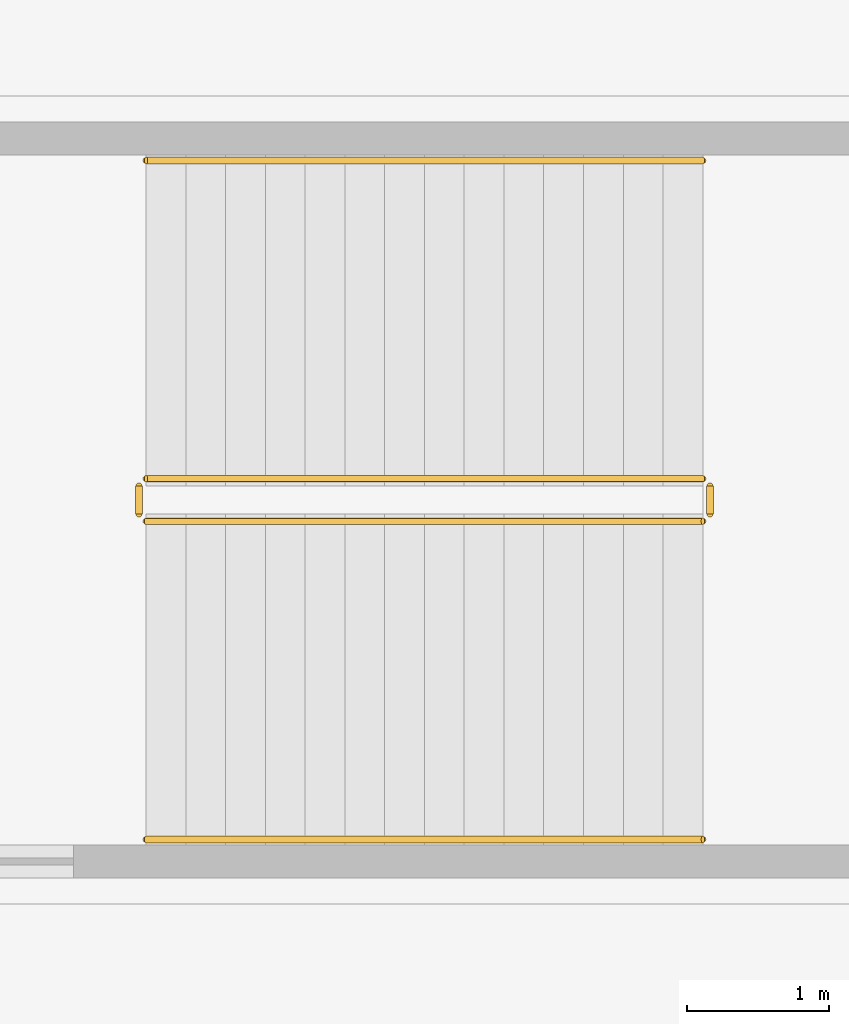
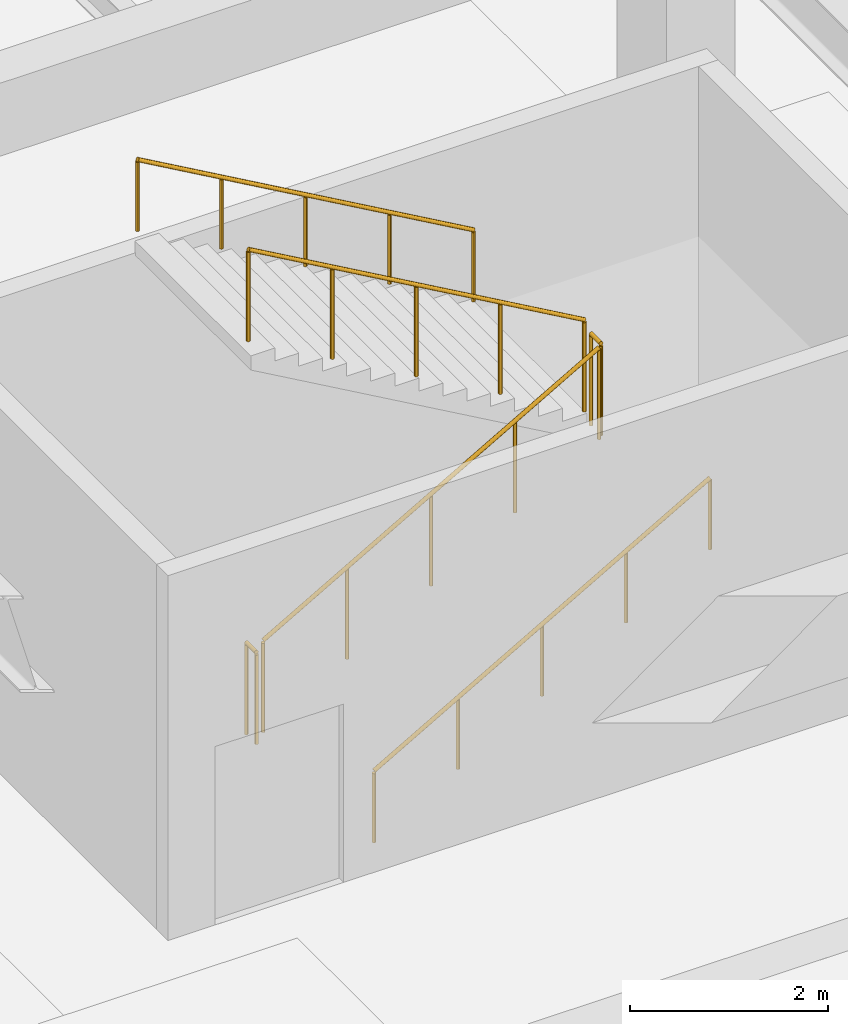
# One storey, part 52 of 56: 6 railings.
"""IFC4 building model written with IfcOpenShell, lengths in metres."""

from ifc_helpers import new_model, si_unit, direction, frame, origin, origin_2d, place, context, subcontext, project, spatial, circle, extrude, material, layer, layer_set, type_object, element, save


model = new_model("IFC4")

# Units and contexts
model_context = context("Model", 3, precision=1e-05, world=origin(), true_north=direction((0.0, 1.0)))
body_context = subcontext(model_context, "Body", "Model", "MODEL_VIEW")
ifc_project = project(units=[si_unit("LENGTHUNIT", "METRE"), si_unit("AREAUNIT", "SQUARE_METRE"), si_unit("VOLUMEUNIT", "CUBIC_METRE"), si_unit("PLANEANGLEUNIT", "RADIAN"), si_unit("MASSUNIT", "GRAM", prefix="KILO")], contexts=[model_context])

# Site, building, storey
site_placement = place(None, origin())
site = spatial("IfcSite", under=ifc_project, at=site_placement, CompositionType="ELEMENT")
building_placement = place(site_placement, origin())
building = spatial("IfcBuilding", under=site, at=building_placement, Name="Kazenohara Klinker Stadium", CompositionType="ELEMENT")
storey_placement = place(building_placement, frame((0.0, 0.0, -4.800048828125)))
storey = spatial("IfcBuildingStorey", under=building, at=storey_placement, Name="B01", CompositionType="ELEMENT", Elevation=-4.800048828125)

# Railings
ifc_material_1 = material(Name="Brushed stainless steel 304 handrail", Category="steel")
ifc_layer_1 = layer(ifc_material_1, 0.050048828125)
ifc_layer_set_1 = layer_set([ifc_layer_1], Name="Brushed stainless steel 304 handrail")
railing_type_1 = type_object("IfcRailingType", Name="RL-HND-900", PredefinedType="HANDRAIL", material=ifc_layer_set_1)
railing_1_placement = place(storey_placement, frame((53.1298828125, 147.610107421875, 0.16015625)))
element("IfcRailing", 1, at=railing_1_placement, inside=storey, type_object=railing_type_1, Name="B01 ST08 stair handrail 1", PredefinedType="HANDRAIL", context=body_context, shape_type="SweptSolid", body=[
    extrude(circle(Radius=0.02392578125, at=origin_2d()), frame((0.0, 0.0, 0.8759765625), z_axis=(0.86825312469, 0.0, 0.496121468458), x_axis=(0.0, 1.0, 0.0)), (0.0, 0.0, 1.0), 4.514892578125),
    extrude(circle(Radius=0.02099609375, at=origin_2d()), origin(), (0.0, 0.0, 1.0), 0.851806640625),
    extrude(circle(Radius=0.02099609375, at=origin_2d()), frame((0.97998046875, 0.0, 0.56005859375)), (0.0, 0.0, 1.0), 0.851806640625),
    extrude(circle(Radius=0.02099609375, at=origin_2d()), frame((1.9599609375, 0.0, 1.1201171875)), (0.0, 0.0, 1.0), 0.851806640625),
    extrude(circle(Radius=0.02099609375, at=origin_2d()), frame((2.940185546875, 0.0, 1.679931640625)), (0.0, 0.0, 1.0), 0.851806640625),
    extrude(circle(Radius=0.02099609375, at=origin_2d()), frame((3.920166015625, 0.0, 2.239990234375)), (0.0, 0.0, 1.0), 0.851806640625),
])
railing_2_placement = place(storey_placement, frame((57.050048828125, 152.389892578125, 2.56005859375)))
element("IfcRailing", 2, at=railing_2_placement, inside=storey, type_object=railing_type_1, Name="B01 ST08 stair handrail 2", PredefinedType="HANDRAIL", context=body_context, shape_type="SweptSolid", body=[
    extrude(circle(Radius=0.02392578125, at=origin_2d()), frame((0.0, 0.0, 0.8759765625), z_axis=(-0.86825312469, 0.0, 0.496121468458), x_axis=(0.0, -1.0, 0.0)), (0.0, 0.0, 1.0), 4.514892578125),
    extrude(circle(Radius=0.02099609375, at=origin_2d()), origin(), (0.0, 0.0, 1.0), 0.851806640625),
    extrude(circle(Radius=0.02099609375, at=origin_2d()), frame((-0.97998046875, 0.0, 0.56005859375)), (0.0, 0.0, 1.0), 0.851806640625),
    extrude(circle(Radius=0.02099609375, at=origin_2d()), frame((-1.9599609375, 0.0, 1.1201171875)), (0.0, 0.0, 1.0), 0.851806640625),
    extrude(circle(Radius=0.02099609375, at=origin_2d()), frame((-2.940185546875, 0.0, 1.679931640625)), (0.0, 0.0, 1.0), 0.851806640625),
    extrude(circle(Radius=0.02099609375, at=origin_2d()), frame((-3.920166015625, 0.0, 2.239990234375)), (0.0, 0.0, 1.0), 0.851806640625),
])
ifc_material_2 = material(Name="Painted steel stairwell guardrail", Category="steel")
ifc_layer_2 = layer(ifc_material_2, 0.06005859375)
ifc_layer_set_2 = layer_set([ifc_layer_2], Name="Painted steel stairwell guardrail")
railing_type_2 = type_object("IfcRailingType", Name="RL-STG-1120", PredefinedType="GUARDRAIL", material=ifc_layer_set_2)
railing_3_placement = place(storey_placement, frame((53.1298828125, 149.85009765625, 0.16015625)))
element("IfcRailing", 3, at=railing_3_placement, inside=storey, type_object=railing_type_2, Name="B01 ST08 stair guard 1", PredefinedType="GUARDRAIL", context=body_context, shape_type="SweptSolid", body=[
    extrude(circle(Radius=0.02392578125, at=origin_2d()), frame((0.0, 0.0, 1.1259765625), z_axis=(0.86825312469, 0.0, 0.496121468458), x_axis=(0.0, 1.0, 0.0)), (0.0, 0.0, 1.0), 4.514892578125),
    extrude(circle(Radius=0.02099609375, at=origin_2d()), origin(), (0.0, 0.0, 1.0), 1.101806640625),
    extrude(circle(Radius=0.02099609375, at=origin_2d()), frame((0.97998046875, 0.0, 0.56005859375)), (0.0, 0.0, 1.0), 1.101806640625),
    extrude(circle(Radius=0.02099609375, at=origin_2d()), frame((1.9599609375, 0.0, 1.1201171875)), (0.0, 0.0, 1.0), 1.101806640625),
    extrude(circle(Radius=0.02099609375, at=origin_2d()), frame((2.940185546875, 0.0, 1.679931640625)), (0.0, 0.0, 1.0), 1.101806640625),
    extrude(circle(Radius=0.02099609375, at=origin_2d()), frame((3.920166015625, 0.0, 2.239990234375)), (0.0, 0.0, 1.0), 1.101806640625),
])
railing_4_placement = place(storey_placement, frame((57.10009765625, 149.89990234375, 2.400146484375)))
element("IfcRailing", 4, at=railing_4_placement, inside=storey, type_object=railing_type_2, Name="B01 ST08 stair guard 2", PredefinedType="GUARDRAIL", context=body_context, shape_type="SweptSolid", body=[
    extrude(circle(Radius=0.02392578125, at=origin_2d()), frame((0.0, 0.0, 1.1259765625), z_axis=(0.0, 1.0, 0.0), x_axis=(-1.0, 0.0, 0.0)), (0.0, 0.0, 1.0), 0.2001953125),
    extrude(circle(Radius=0.02099609375, at=origin_2d()), origin(), (0.0, 0.0, 1.0), 1.101806640625),
    extrude(circle(Radius=0.02099609375, at=origin_2d()), frame((0.0, 0.2001953125, 0.0)), (0.0, 0.0, 1.0), 1.101806640625),
])
railing_5_placement = place(storey_placement, frame((57.050048828125, 150.14990234375, 2.56005859375)))
element("IfcRailing", 5, at=railing_5_placement, inside=storey, type_object=railing_type_2, Name="B01 ST08 stair guard 3", PredefinedType="GUARDRAIL", context=body_context, shape_type="SweptSolid", body=[
    extrude(circle(Radius=0.02392578125, at=origin_2d()), frame((0.0, 0.0, 1.1259765625), z_axis=(-0.86825312469, 0.0, 0.496121468458), x_axis=(0.0, -1.0, 0.0)), (0.0, 0.0, 1.0), 4.514892578125),
    extrude(circle(Radius=0.02099609375, at=origin_2d()), origin(), (0.0, 0.0, 1.0), 1.101806640625),
    extrude(circle(Radius=0.02099609375, at=origin_2d()), frame((-0.97998046875, 0.0, 0.56005859375)), (0.0, 0.0, 1.0), 1.101806640625),
    extrude(circle(Radius=0.02099609375, at=origin_2d()), frame((-1.9599609375, 0.0, 1.1201171875)), (0.0, 0.0, 1.0), 1.101806640625),
    extrude(circle(Radius=0.02099609375, at=origin_2d()), frame((-2.940185546875, 0.0, 1.679931640625)), (0.0, 0.0, 1.0), 1.101806640625),
    extrude(circle(Radius=0.02099609375, at=origin_2d()), frame((-3.920166015625, 0.0, 2.239990234375)), (0.0, 0.0, 1.0), 1.101806640625),
])
railing_6_placement = place(storey_placement, frame((53.080078125, 149.89990234375, 0.0)))
element("IfcRailing", 6, at=railing_6_placement, inside=storey, type_object=railing_type_2, Name="B01 ST08 stair guard 4", PredefinedType="GUARDRAIL", context=body_context, shape_type="SweptSolid", body=[
    extrude(circle(Radius=0.02392578125, at=origin_2d()), frame((0.0, 0.0, 1.1259765625), z_axis=(0.0, 1.0, 0.0), x_axis=(-1.0, 0.0, 0.0)), (0.0, 0.0, 1.0), 0.2001953125),
    extrude(circle(Radius=0.02099609375, at=origin_2d()), origin(), (0.0, 0.0, 1.0), 1.101806640625),
    extrude(circle(Radius=0.02099609375, at=origin_2d()), frame((0.0, 0.2001953125, 0.0)), (0.0, 0.0, 1.0), 1.101806640625),
])

save(model, "model.ifc")
